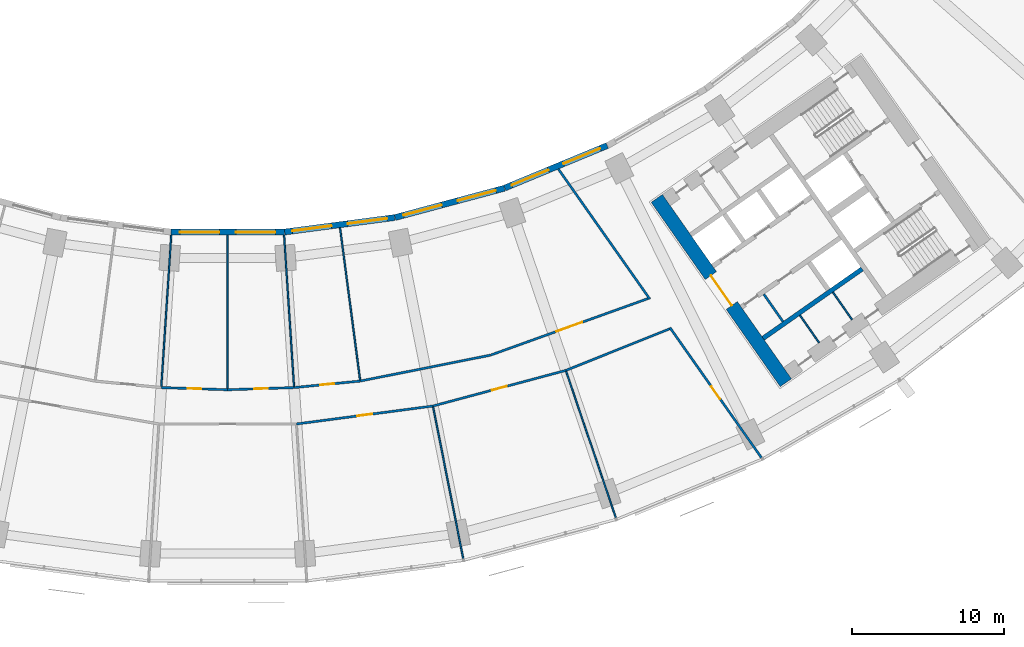
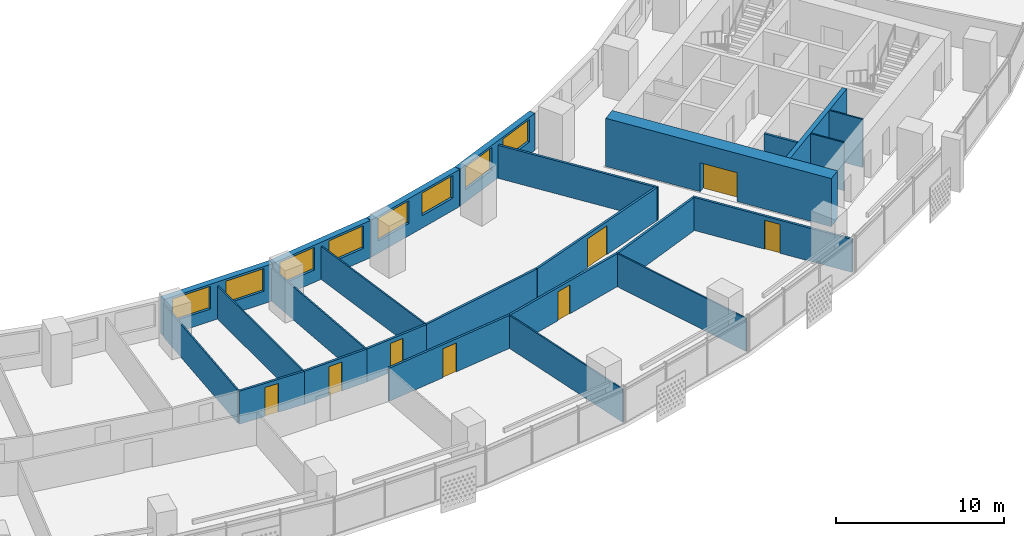
# One storey, part 6 of 31: 25 walls, 8 doors, 8 windows, 16 openings.
"""IFC4 building model written with IfcOpenShell, lengths in metres."""

from ifc_helpers import new_model, si_unit, direction, frame, frame_2d, origin, place, context, subcontext, project, spatial, rectangle, extrude, material, layer, layer_set, type_object, element, fill, save


model = new_model("IFC4")

# Units and contexts
model_context = context("Model", 3, precision=1e-05, world=origin(), true_north=direction((0.0, 1.0)))
body_context = subcontext(model_context, "Body", "Model", "MODEL_VIEW")
ifc_project = project(units=[si_unit("LENGTHUNIT", "METRE"), si_unit("AREAUNIT", "SQUARE_METRE"), si_unit("VOLUMEUNIT", "CUBIC_METRE"), si_unit("PLANEANGLEUNIT", "RADIAN"), si_unit("MASSUNIT", "GRAM", prefix="KILO")], contexts=[model_context])

# Site, building, storey
site_placement = place(None, origin())
site = spatial("IfcSite", under=ifc_project, at=site_placement, CompositionType="ELEMENT")
building_placement = place(site_placement, origin())
building = spatial("IfcBuilding", under=site, at=building_placement, Name="Qamariyya Broadcast Tower", CompositionType="ELEMENT")
storey_placement = place(building_placement, frame((0.0, 0.0, 59.5)))
storey = spatial("IfcBuildingStorey", under=building, at=storey_placement, Name="L11", CompositionType="ELEMENT", Elevation=59.5)

# Wall, opening, door
ifc_material_1 = material(Name="Concrete C70/85", Category="concrete")
ifc_layer_1 = layer(ifc_material_1, 0.89990234375)
ifc_layer_set_1 = layer_set([ifc_layer_1], Name="Core wall 900 mm Concrete C70/85")
wall_type_1 = type_object("IfcWallType", Name="Core wall 900 mm Concrete C70/85", PredefinedType="SHEAR", material=ifc_layer_set_1)
wall_1_placement = place(storey_placement, frame((36.716796875, -66.3369140625, 0.0), z_axis=(0.0, 0.0, 1.0), x_axis=(-0.573577477574, 0.819151315216, 0.0)))
wall_1 = element("IfcWall", 1, at=wall_1_placement, inside=storey, type_object=wall_type_1, Name="k-E-L11-WA", PredefinedType="SHEAR", context=body_context, shape_type="SweptSolid", body=[
    extrude(rectangle(XDim=14.800048828125, YDim=0.89990234375, at=frame_2d((7.39990234375, 0.0))), origin(), (0.0, 0.0, 1.0), 3.5),
])
opening_1_placement = place(wall_1_placement, frame((6.199951171875, 0.0, 0.0)))
opening_1 = element("IfcOpeningElement", 2, at=opening_1_placement, cuts=wall_1, Name="Opening KD3-E1", PredefinedType="OPENING", context=body_context, shape_type="SweptSolid", body=[
    extrude(rectangle(XDim=2.39990234375, YDim=2.10009765625, at=frame_2d((1.199951171875, 1.050048828125))), frame((0.0, 0.4599609375, 0.0), z_axis=(0.0, -1.0, 0.0), x_axis=(1.0, 0.0, 0.0)), (0.0, 0.0, 1.0), 0.919921875),
])
ifc_material_2 = material(Name="Steel fire-resisting door leaf", Category="steel")
door_type_1 = type_object("IfcDoorType", Name="Lift lobby door KD3", OperationType="DOUBLE_DOOR_SINGLE_SWING", PredefinedType="DOOR", material=ifc_material_2)
door_1_placement = place(opening_1_placement, origin())
door_1 = element("IfcDoor", 3, at=door_1_placement, inside=storey, type_object=door_type_1, Name="k-E-L11-WA-D1", OperationType="DOUBLE_DOOR_SINGLE_SWING", OverallHeight=2.10009765625, OverallWidth=2.39990234375, PredefinedType="DOOR", context=body_context, shape_type="SweptSolid", body=[
    extrude(rectangle(XDim=2.39990234375, YDim=2.10009765625, at=frame_2d((1.199951171875, 1.050048828125))), frame((0.0, 0.02490234375, 0.0), z_axis=(0.0, -1.0, 0.0), x_axis=(1.0, 0.0, 0.0)), (0.0, 0.0, 1.0), 0.050048828125),
])
fill(opening_1, door_1)

ifc_material_3 = material(Name="Gypsum board partition")
ifc_layer_2 = layer(ifc_material_3, 0.14990234375)
ifc_layer_set_2 = layer_set([ifc_layer_2], Name="Corridor partition 150 EI 60")
wall_type_2 = type_object("IfcWallType", Name="Corridor partition 150 EI 60", PredefinedType="PARTITIONING", material=ifc_layer_set_2)
wall_2_placement = place(storey_placement, frame((-4.368896484375, -66.656982421875, 0.0), z_axis=(0.0, 0.0, 1.0), x_axis=(0.99946426167, -0.03272903366, 0.0)))
wall_2 = element("IfcWall", 4, at=wall_2_placement, inside=storey, type_object=wall_type_2, Name="Partition L11-018", PredefinedType="PARTITIONING", context=body_context, shape_type="SweptSolid", body=[
    extrude(rectangle(XDim=4.371337890625, YDim=0.14990234375, at=frame_2d((2.185546875, 0.0))), origin(), (0.0, 0.0, 1.0), 2.39990234375),
])
opening_2_placement = place(wall_2_placement, frame((1.735595703125, 0.0, 0.0)))
opening_2 = element("IfcOpeningElement", 5, at=opening_2_placement, cuts=wall_2, Name="Opening L11-D12", PredefinedType="OPENING", context=body_context, shape_type="SweptSolid", body=[
    extrude(rectangle(XDim=0.89990234375, YDim=2.10009765625, at=frame_2d((0.449951171875, 1.050048828125))), frame((0.0, 0.0849609375, 0.0), z_axis=(0.0, -1.0, 0.0), x_axis=(1.0, 0.0, 0.0)), (0.0, 0.0, 1.0), 0.169921875),
])
ifc_material_4 = material(Name="Timber fire door leaf", Category="wood")
door_type_2 = type_object("IfcDoorType", Name="Fire door 900 x 2100 FD60", OperationType="NOTDEFINED", PredefinedType="DOOR", material=ifc_material_4)
door_2_placement = place(opening_2_placement, origin())
door_2 = element("IfcDoor", 6, at=door_2_placement, inside=storey, type_object=door_type_2, Name="Door L11-D12", OperationType="SINGLE_SWING_RIGHT", OverallHeight=2.10009765625, OverallWidth=0.89990234375, PredefinedType="DOOR", context=body_context, shape_type="SweptSolid", body=[
    extrude(rectangle(XDim=0.89990234375, YDim=2.10009765625, at=frame_2d((0.449951171875, 1.050048828125))), frame((0.0, 0.02490234375, 0.0), z_axis=(0.0, -1.0, 0.0), x_axis=(1.0, 0.0, 0.0)), (0.0, 0.0, 1.0), 0.050048828125),
])
fill(opening_2, door_2)

wall_3_placement = place(storey_placement, frame((0.0, -66.800048828125, 0.0), z_axis=(0.0, 0.0, 1.0), x_axis=(0.99946426167, 0.03272903366, 0.0)))
wall_3 = element("IfcWall", 7, at=wall_3_placement, inside=storey, type_object=wall_type_2, Name="Partition L11-020", PredefinedType="PARTITIONING", context=body_context, shape_type="SweptSolid", body=[
    extrude(rectangle(XDim=4.371337890625, YDim=0.14990234375, at=frame_2d((2.185546875, 0.0))), origin(), (0.0, 0.0, 1.0), 2.39990234375),
])
opening_3_placement = place(wall_3_placement, frame((1.735595703125, 0.0, 0.0)))
opening_3 = element("IfcOpeningElement", 8, at=opening_3_placement, cuts=wall_3, Name="Opening L11-D13", PredefinedType="OPENING", context=body_context, shape_type="SweptSolid", body=[
    extrude(rectangle(XDim=0.89990234375, YDim=2.10009765625, at=frame_2d((0.449951171875, 1.050048828125))), frame((0.0, 0.0849609375, 0.0), z_axis=(0.0, -1.0, 0.0), x_axis=(1.0, 0.0, 0.0)), (0.0, 0.0, 1.0), 0.169921875),
])
door_3_placement = place(opening_3_placement, origin())
door_3 = element("IfcDoor", 9, at=door_3_placement, inside=storey, type_object=door_type_2, Name="Door L11-D13", OperationType="SINGLE_SWING_RIGHT", OverallHeight=2.10009765625, OverallWidth=0.89990234375, PredefinedType="DOOR", context=body_context, shape_type="SweptSolid", body=[
    extrude(rectangle(XDim=0.89990234375, YDim=2.10009765625, at=frame_2d((0.449951171875, 1.050048828125))), frame((0.0, 0.02490234375, 0.0), z_axis=(0.0, -1.0, 0.0), x_axis=(1.0, 0.0, 0.0)), (0.0, 0.0, 1.0), 0.050048828125),
])
fill(opening_3, door_3)

wall_4_placement = place(storey_placement, frame((4.368896484375, -66.656982421875, 0.0), z_axis=(0.0, 0.0, 1.0), x_axis=(0.995184826457, 0.098016127192, 0.0)))
wall_4 = element("IfcWall", 10, at=wall_4_placement, inside=storey, type_object=wall_type_2, Name="Partition L11-023", PredefinedType="PARTITIONING", context=body_context, shape_type="SweptSolid", body=[
    extrude(rectangle(XDim=4.371337890625, YDim=0.14990234375, at=frame_2d((2.185546875, 0.0))), origin(), (0.0, 0.0, 1.0), 2.39990234375),
])
opening_4_placement = place(wall_4_placement, frame((1.735595703125, 0.0, 0.0)))
opening_4 = element("IfcOpeningElement", 11, at=opening_4_placement, cuts=wall_4, Name="Opening L11-D14", PredefinedType="OPENING", context=body_context, shape_type="SweptSolid", body=[
    extrude(rectangle(XDim=0.89990234375, YDim=2.10009765625, at=frame_2d((0.449951171875, 1.050048828125))), frame((0.0, 0.0849609375, 0.0), z_axis=(0.0, -1.0, 0.0), x_axis=(1.0, 0.0, 0.0)), (0.0, 0.0, 1.0), 0.169921875),
])
door_4_placement = place(opening_4_placement, origin())
door_4 = element("IfcDoor", 12, at=door_4_placement, inside=storey, type_object=door_type_2, Name="Door L11-D14", OperationType="SINGLE_SWING_RIGHT", OverallHeight=2.10009765625, OverallWidth=0.89990234375, PredefinedType="DOOR", context=body_context, shape_type="SweptSolid", body=[
    extrude(rectangle(XDim=0.89990234375, YDim=2.10009765625, at=frame_2d((0.449951171875, 1.050048828125))), frame((0.0, 0.02490234375, 0.0), z_axis=(0.0, -1.0, 0.0), x_axis=(1.0, 0.0, 0.0)), (0.0, 0.0, 1.0), 0.050048828125),
])
fill(opening_4, door_4)

wall_5_placement = place(storey_placement, frame((13.500244140625, -67.870361328125, 0.0), z_axis=(0.0, 0.0, 1.0), x_axis=(-0.991446306881, -0.13051521203, 0.0)))
wall_5 = element("IfcWall", 13, at=wall_5_placement, inside=storey, type_object=wall_type_2, Name="Partition L11-024", PredefinedType="PARTITIONING", context=body_context, shape_type="SweptSolid", body=[
    extrude(rectangle(XDim=9.0517578125, YDim=0.14990234375, at=frame_2d((4.52587890625, 0.0))), origin(), (0.0, 0.0, 1.0), 2.39990234375),
])
opening_5_placement = place(wall_5_placement, frame((4.02587890625, 0.0, 0.0)))
opening_5 = element("IfcOpeningElement", 14, at=opening_5_placement, cuts=wall_5, Name="Opening L11-D05", PredefinedType="OPENING", context=body_context, shape_type="SweptSolid", body=[
    extrude(rectangle(XDim=1.0, YDim=2.10009765625, at=frame_2d((0.5, 1.050048828125))), frame((0.0, 0.0849609375, 0.0), z_axis=(0.0, -1.0, 0.0), x_axis=(1.0, 0.0, 0.0)), (0.0, 0.0, 1.0), 0.169921875),
])
door_type_3 = type_object("IfcDoorType", Name="Fire door 1000 x 2100 FD60", OperationType="NOTDEFINED", PredefinedType="DOOR", material=ifc_material_4)
door_5_placement = place(opening_5_placement, origin())
door_5 = element("IfcDoor", 15, at=door_5_placement, inside=storey, type_object=door_type_3, Name="Door L11-D05", OperationType="SINGLE_SWING_RIGHT", OverallHeight=2.10009765625, OverallWidth=1.0, PredefinedType="DOOR", context=body_context, shape_type="SweptSolid", body=[
    extrude(rectangle(XDim=1.0, YDim=2.10009765625, at=frame_2d((0.5, 1.050048828125))), frame((0.0, 0.02490234375, 0.0), z_axis=(0.0, -1.0, 0.0), x_axis=(1.0, 0.0, 0.0)), (0.0, 0.0, 1.0), 0.050048828125),
])
fill(opening_5, door_5)

# Wall
wall_6_placement = place(storey_placement, frame((8.71923828125, -66.228515625, 0.0), z_axis=(0.0, 0.0, 1.0), x_axis=(0.980787736115, 0.195077975915, 0.0)))
element("IfcWall", 16, at=wall_6_placement, inside=storey, type_object=wall_type_2, Name="Partition L11-027", PredefinedType="PARTITIONING", context=body_context, shape_type="SweptSolid", body=[
    extrude(rectangle(XDim=8.729248046875, YDim=0.14990234375, at=frame_2d((4.36474609375, 0.0))), origin(), (0.0, 0.0, 1.0), 2.39990234375),
])

# Wall, opening, door
wall_7_placement = place(storey_placement, frame((22.24365234375, -65.527587890625, 0.0), z_axis=(0.0, 0.0, 1.0), x_axis=(-0.965926260719, -0.258817423781, 0.0)))
wall_7 = element("IfcWall", 17, at=wall_7_placement, inside=storey, type_object=wall_type_2, Name="Partition L11-028", PredefinedType="PARTITIONING", context=body_context, shape_type="SweptSolid", body=[
    extrude(rectangle(XDim=9.0517578125, YDim=0.14990234375, at=frame_2d((4.52587890625, 0.0))), origin(), (0.0, 0.0, 1.0), 2.39990234375),
])
opening_6_placement = place(wall_7_placement, frame((4.02587890625, 0.0, 0.0)))
opening_6 = element("IfcOpeningElement", 18, at=opening_6_placement, cuts=wall_7, Name="Opening L11-D06", PredefinedType="OPENING", context=body_context, shape_type="SweptSolid", body=[
    extrude(rectangle(XDim=1.0, YDim=2.10009765625, at=frame_2d((0.5, 1.050048828125))), frame((0.0, 0.0849609375, 0.0), z_axis=(0.0, -1.0, 0.0), x_axis=(1.0, 0.0, 0.0)), (0.0, 0.0, 1.0), 0.169921875),
])
door_6_placement = place(opening_6_placement, origin())
door_6 = element("IfcDoor", 19, at=door_6_placement, inside=storey, type_object=door_type_3, Name="Door L11-D06", OperationType="SINGLE_SWING_RIGHT", OverallHeight=2.10009765625, OverallWidth=1.0, PredefinedType="DOOR", context=body_context, shape_type="SweptSolid", body=[
    extrude(rectangle(XDim=1.0, YDim=2.10009765625, at=frame_2d((0.5, 1.050048828125))), frame((0.0, 0.02490234375, 0.0), z_axis=(0.0, -1.0, 0.0), x_axis=(1.0, 0.0, 0.0)), (0.0, 0.0, 1.0), 0.050048828125),
])
fill(opening_6, door_6)

wall_8_placement = place(storey_placement, frame((17.297119140625, -64.52099609375, 0.0), z_axis=(0.0, 0.0, 1.0), x_axis=(0.941107470704, 0.338107569546, 0.0)))
wall_8 = element("IfcWall", 20, at=wall_8_placement, inside=storey, type_object=wall_type_2, Name="Partition L11-030", PredefinedType="PARTITIONING", context=body_context, shape_type="SweptSolid", body=[
    extrude(rectangle(XDim=11.00732421875, YDim=0.14990234375, at=frame_2d((5.503662109375, 0.0))), origin(), (0.0, 0.0, 1.0), 2.39990234375),
])
opening_7_placement = place(wall_8_placement, frame((4.603759765625, 0.0, 0.0)))
opening_7 = element("IfcOpeningElement", 21, at=opening_7_placement, cuts=wall_8, Name="Opening L11-D15", PredefinedType="OPENING", context=body_context, shape_type="SweptSolid", body=[
    extrude(rectangle(XDim=1.800048828125, YDim=2.10009765625, at=frame_2d((0.89990234375, 1.050048828125))), frame((0.0, 0.0849609375, 0.0), z_axis=(0.0, -1.0, 0.0), x_axis=(1.0, 0.0, 0.0)), (0.0, 0.0, 1.0), 0.169921875),
])
door_type_4 = type_object("IfcDoorType", Name="Double fire door 1800 x 2100 FD60", OperationType="NOTDEFINED", PredefinedType="DOOR", material=ifc_material_4)
door_7_placement = place(opening_7_placement, origin())
door_7 = element("IfcDoor", 22, at=door_7_placement, inside=storey, type_object=door_type_4, Name="Door L11-D15", OperationType="DOUBLE_DOOR_SINGLE_SWING", OverallHeight=2.10009765625, OverallWidth=1.800048828125, PredefinedType="DOOR", context=body_context, shape_type="SweptSolid", body=[
    extrude(rectangle(XDim=1.800048828125, YDim=2.10009765625, at=frame_2d((0.89990234375, 1.050048828125))), frame((0.0, 0.02490234375, 0.0), z_axis=(0.0, -1.0, 0.0), x_axis=(1.0, 0.0, 0.0)), (0.0, 0.0, 1.0), 0.050048828125),
])
fill(opening_7, door_7)

# Walls
wall_9_placement = place(storey_placement, frame((21.748291015625, -52.2763671875, 0.0), z_axis=(0.0, 0.0, 1.0), x_axis=(0.575419434668, -0.817858468322, 0.0)))
element("IfcWall", 23, at=wall_9_placement, inside=storey, type_object=wall_type_2, Name="Partition L11-031", PredefinedType="PARTITIONING", context=body_context, shape_type="SweptSolid", body=[
    extrude(rectangle(XDim=10.46484375, YDim=0.14990234375, at=frame_2d((5.232421875, 0.0))), origin(), (0.0, 0.0, 1.0), 2.39990234375),
])
wall_10_placement = place(storey_placement, frame((22.24365234375, -65.527587890625, 0.0), z_axis=(0.0, 0.0, 1.0), x_axis=(0.928339065762, 0.371734554462, 0.0)))
element("IfcWall", 24, at=wall_10_placement, inside=storey, type_object=wall_type_2, Name="Partition L11-032", PredefinedType="PARTITIONING", context=body_context, shape_type="SweptSolid", body=[
    extrude(rectangle(XDim=7.343994140625, YDim=0.14990234375, at=frame_2d((3.671875, 0.0))), origin(), (0.0, 0.0, 1.0), 2.39990234375),
])

# Wall, opening, door
wall_11_placement = place(storey_placement, frame((35.11328125, -71.2724609375, 0.0), z_axis=(0.0, 0.0, 1.0), x_axis=(-0.575411972256, 0.817863718589, 0.0)))
wall_11 = element("IfcWall", 25, at=wall_11_placement, inside=storey, type_object=wall_type_2, Name="Partition L11-034", PredefinedType="PARTITIONING", context=body_context, shape_type="SweptSolid", body=[
    extrude(rectangle(XDim=10.471435546875, YDim=0.14990234375, at=frame_2d((5.23583984375, 0.0))), origin(), (0.0, 0.0, 1.0), 2.39990234375),
])
opening_8_placement = place(wall_11_placement, frame((4.735595703125, 0.0, 0.0)))
opening_8 = element("IfcOpeningElement", 26, at=opening_8_placement, cuts=wall_11, Name="Opening L11-D07", PredefinedType="OPENING", context=body_context, shape_type="SweptSolid", body=[
    extrude(rectangle(XDim=1.0, YDim=2.10009765625, at=frame_2d((0.5, 1.050048828125))), frame((0.0, 0.0849609375, 0.0), z_axis=(0.0, -1.0, 0.0), x_axis=(1.0, 0.0, 0.0)), (0.0, 0.0, 1.0), 0.169921875),
])
door_8_placement = place(opening_8_placement, origin())
door_8 = element("IfcDoor", 27, at=door_8_placement, inside=storey, type_object=door_type_3, Name="Door L11-D07", OperationType="SINGLE_SWING_RIGHT", OverallHeight=2.10009765625, OverallWidth=1.0, PredefinedType="DOOR", context=body_context, shape_type="SweptSolid", body=[
    extrude(rectangle(XDim=1.0, YDim=2.10009765625, at=frame_2d((0.5, 1.050048828125))), frame((0.0, 0.02490234375, 0.0), z_axis=(0.0, -1.0, 0.0), x_axis=(1.0, 0.0, 0.0)), (0.0, 0.0, 1.0), 0.050048828125),
])
fill(opening_8, door_8)

# Walls
ifc_material_5 = material(Name="Gypsum board partition on steel studs", Category="steel")
ifc_layer_3 = layer(ifc_material_5, 0.14990234375)
ifc_layer_set_3 = layer_set([ifc_layer_3], Name="Gypsum board partition 150 mm")
wall_type_3 = type_object("IfcWallType", Name="Gypsum board partition 150 mm", PredefinedType="PARTITIONING", material=ifc_layer_set_3)
wall_12_placement = place(storey_placement, frame((35.26611328125, -60.5166015625, 0.0), z_axis=(0.0, 0.0, 1.0), x_axis=(0.573559170999, -0.819164133348, 0.0)))
element("IfcWall", 28, at=wall_12_placement, inside=storey, type_object=wall_type_3, Name="k-E-L11-SC170", PredefinedType="PARTITIONING", context=body_context, shape_type="SweptSolid", body=[
    extrude(rectangle(XDim=2.19970703125, YDim=0.14990234375, at=frame_2d((1.099853515625, 0.0))), origin(), (0.0, 0.0, 1.0), 3.5),
])
ifc_material_6 = material(Name="Concrete C60/75", Category="concrete")
ifc_layer_4 = layer(ifc_material_6, 0.300048828125)
ifc_layer_set_4 = layer_set([ifc_layer_4], Name="Lift shaft wall 300 mm Concrete C60/75")
wall_type_4 = type_object("IfcWallType", Name="Lift shaft wall 300 mm Concrete C60/75", PredefinedType="SOLIDWALL", material=ifc_layer_set_4)
wall_13_placement = place(storey_placement, frame((35.22119140625, -63.41650390625, 0.0), z_axis=(0.0, 0.0, 1.0), x_axis=(0.819166993208, 0.573555086491, 0.0)))
element("IfcWall", 29, at=wall_13_placement, inside=storey, type_object=wall_type_4, Name="k-E-L11-SB0", PredefinedType="SOLIDWALL", context=body_context, shape_type="SweptSolid", body=[
    extrude(rectangle(XDim=7.9501953125, YDim=0.300048828125, at=frame_2d((3.97509765625, 0.0))), origin(), (0.0, 0.0, 1.0), 3.5),
])
ifc_layer_5 = layer(ifc_material_3, 0.10009765625)
ifc_layer_set_5 = layer_set([ifc_layer_5], Name="Partition 100")
wall_type_5 = type_object("IfcWallType", Name="Partition 100", PredefinedType="PARTITIONING", material=ifc_layer_set_5)
wall_14_placement = place(storey_placement, frame((-3.711669921875, -56.62841796875, 0.0), z_axis=(0.0, 0.0, 1.0), x_axis=(-0.06539808502, -0.997859253841, 0.0)))
element("IfcWall", 30, at=wall_14_placement, inside=storey, type_object=wall_type_5, Name="Partition L11-019", PredefinedType="PARTITIONING", context=body_context, shape_type="SweptSolid", body=[
    extrude(rectangle(XDim=9.974853515625, YDim=0.10009765625, at=frame_2d((4.9873046875, 0.0))), origin(), (0.0, 0.0, 1.0), 2.39990234375),
])
wall_15_placement = place(storey_placement, frame((0.0, -56.62939453125, 0.0), z_axis=(0.0, 0.0, 1.0), x_axis=(0.0, -1.0, 0.0)))
element("IfcWall", 31, at=wall_15_placement, inside=storey, type_object=wall_type_5, Name="Partition L11-021", PredefinedType="PARTITIONING", context=body_context, shape_type="SweptSolid", body=[
    extrude(rectangle(XDim=10.095703125, YDim=0.10009765625, at=frame_2d((5.0478515625, 0.0))), origin(), (0.0, 0.0, 1.0), 2.39990234375),
])
wall_16_placement = place(storey_placement, frame((3.711669921875, -56.62841796875, 0.0), z_axis=(0.0, 0.0, 1.0), x_axis=(0.06539808502, -0.997859253841, 0.0)))
element("IfcWall", 32, at=wall_16_placement, inside=storey, type_object=wall_type_5, Name="Partition L11-022", PredefinedType="PARTITIONING", context=body_context, shape_type="SweptSolid", body=[
    extrude(rectangle(XDim=9.974853515625, YDim=0.10009765625, at=frame_2d((4.9873046875, 0.0))), origin(), (0.0, 0.0, 1.0), 2.39990234375),
])
wall_17_placement = place(storey_placement, frame((7.3916015625, -56.144775390625, 0.0), z_axis=(0.0, 0.0, 1.0), x_axis=(0.130538336764, -0.991443262439, 0.0)))
element("IfcWall", 33, at=wall_17_placement, inside=storey, type_object=wall_type_5, Name="Partition L11-026", PredefinedType="PARTITIONING", context=body_context, shape_type="SweptSolid", body=[
    extrude(rectangle(XDim=10.095703125, YDim=0.10009765625, at=frame_2d((5.0478515625, 0.0))), origin(), (0.0, 0.0, 1.0), 2.39990234375),
])
for number, where, z_axis, x_axis, name in (
    (34, (15.5, -77.92333984375, 0.0), (0.0, 0.0, 1.0), (-0.195096278525, 0.980784095561, 0.0), "Partition L11-029"),
    (35, (25.538330078125, -75.233642578125, 0.0), (0.0, 0.0, 1.0), (-0.32142736677, 0.946934236308, 0.0), "Partition L11-033"),
):
    element("IfcWall", number, at=place(storey_placement, frame(where, z_axis=z_axis, x_axis=x_axis)), inside=storey, type_object=wall_type_5, Name=name, PredefinedType="PARTITIONING", context=body_context, shape_type="SweptSolid", body=[
        extrude(rectangle(XDim=10.175048828125, YDim=0.10009765625, at=frame_2d((5.08740234375, 0.0))), origin(), (0.0, 0.0, 1.0), 2.39990234375),
    ])
ifc_material_7 = material(Name="Fire-rated gypsum shaft liner on steel studs", Category="steel")
ifc_layer_6 = layer(ifc_material_7, 0.10009765625)
ifc_layer_set_6 = layer_set([ifc_layer_6], Name="Riser wall 100 mm")
wall_type_6 = type_object("IfcWallType", Name="Riser wall 100 mm", PredefinedType="PLUMBINGWALL", material=ifc_layer_set_6)
wall_18_placement = place(storey_placement, frame((37.64208984375, -61.90478515625, 0.0), z_axis=(0.0, 0.0, 1.0), x_axis=(0.573507030513, -0.819200638399, 0.0)))
element("IfcWall", 36, at=wall_18_placement, inside=storey, type_object=wall_type_6, Name="k-E-L11-SP285", PredefinedType="PLUMBINGWALL", context=body_context, shape_type="SweptSolid", body=[
    extrude(rectangle(XDim=2.199951171875, YDim=0.10009765625, at=frame_2d((1.10009765625, 0.0))), origin(), (0.0, 0.0, 1.0), 3.5),
])
wall_19_placement = place(storey_placement, frame((39.812744140625, -60.384765625, 0.0), z_axis=(0.0, 0.0, 1.0), x_axis=(0.573581496053, -0.819148501424, 0.0)))
element("IfcWall", 37, at=wall_19_placement, inside=storey, type_object=wall_type_6, Name="k-E-L11-SP550", PredefinedType="PLUMBINGWALL", context=body_context, shape_type="SweptSolid", body=[
    extrude(rectangle(XDim=2.2001953125, YDim=0.10009765625, at=frame_2d((1.10009765625, 0.0))), origin(), (0.0, 0.0, 1.0), 3.5),
])

# Wall, openings, windows
ifc_material_8 = material(Name="Terracotta", Category="masonry")
ifc_layer_7 = layer(ifc_material_8, 0.39990234375)
ifc_layer_set_7 = layer_set([ifc_layer_7], Name="Terracotta clad wall 400")
wall_type_7 = type_object("IfcWallType", Name="Terracotta clad wall 400", PredefinedType="SOLIDWALL", material=ifc_layer_set_7)
wall_20_placement = place(storey_placement, frame((18.20166015625, -53.542724609375, 0.0), z_axis=(0.0, 0.0, 1.0), x_axis=(-0.965924637935, -0.25882348006, 0.0)))
wall_20 = element("IfcWall", 38, at=wall_20_placement, inside=storey, type_object=wall_type_7, Name="e-wl-L11-in100", PredefinedType="SOLIDWALL", context=body_context, shape_type="SweptSolid", body=[
    extrude(rectangle(XDim=7.447021484375, YDim=0.39990234375, at=frame_2d((3.7236328125, 0.0))), origin(), (0.0, 0.0, 1.0), 2.699951171875),
])
opening_9_placement = place(wall_20_placement, frame((4.266357421875, 0.0, 0.89990234375)))
opening_9 = element("IfcOpeningElement", 39, at=opening_9_placement, cuts=wall_20, Name="Opening W1", PredefinedType="OPENING", context=body_context, shape_type="SweptSolid", body=[
    extrude(rectangle(XDim=2.60009765625, YDim=1.64990234375, at=frame_2d((1.300048828125, 0.824951171875))), frame((0.0, 0.2099609375, 0.0), z_axis=(0.0, -1.0, 0.0), x_axis=(1.0, 0.0, 0.0)), (0.0, 0.0, 1.0), 0.419921875),
])
opening_10_placement = place(wall_20_placement, frame((0.580810546875, 0.0, 0.89990234375)))
opening_10 = element("IfcOpeningElement", 40, at=opening_10_placement, cuts=wall_20, Name="Opening W1", PredefinedType="OPENING", context=body_context, shape_type="SweptSolid", body=[
    extrude(rectangle(XDim=2.60009765625, YDim=1.64990234375, at=frame_2d((1.300048828125, 0.824951171875))), frame((0.0, 0.2099609375, 0.0), z_axis=(0.0, -1.0, 0.0), x_axis=(1.0, 0.0, 0.0)), (0.0, 0.0, 1.0), 0.419921875),
])
ifc_material_9 = material(Name="Clear low-e double glazed unit in aluminium frame", Category="aluminium")
window_type = type_object("IfcWindowType", Name="Ribbon window 2600 x 1650", PartitioningType="SINGLE_PANEL", PredefinedType="WINDOW", material=ifc_material_9)
window_1_placement = place(opening_9_placement, origin())
window_1 = element("IfcWindow", 41, at=window_1_placement, inside=storey, type_object=window_type, Name="e-w-L11-in10-0", OverallHeight=1.64990234375, OverallWidth=2.60009765625, PartitioningType="SINGLE_PANEL", PredefinedType="WINDOW", context=body_context, shape_type="SweptSolid", body=[
    extrude(rectangle(XDim=2.60009765625, YDim=1.64990234375, at=frame_2d((1.300048828125, 0.824951171875))), frame((0.0, 0.030029296875, 0.0), z_axis=(0.0, -1.0, 0.0), x_axis=(1.0, 0.0, 0.0)), (0.0, 0.0, 1.0), 0.06005859375),
])
fill(opening_9, window_1)
window_2_placement = place(opening_10_placement, origin())
window_2 = element("IfcWindow", 42, at=window_2_placement, inside=storey, type_object=window_type, Name="e-w-L11-in10-1", OverallHeight=1.64990234375, OverallWidth=2.60009765625, PartitioningType="SINGLE_PANEL", PredefinedType="WINDOW", context=body_context, shape_type="SweptSolid", body=[
    extrude(rectangle(XDim=2.60009765625, YDim=1.64990234375, at=frame_2d((1.300048828125, 0.824951171875))), frame((0.0, 0.030029296875, 0.0), z_axis=(0.0, -1.0, 0.0), x_axis=(1.0, 0.0, 0.0)), (0.0, 0.0, 1.0), 0.06005859375),
])
fill(opening_10, window_2)

wall_21_placement = place(storey_placement, frame((24.96484375, -50.738037109375, 0.0), z_axis=(0.0, 0.0, 1.0), x_axis=(-0.923891626322, -0.382654234018, 0.0)))
wall_21 = element("IfcWall", 43, at=wall_21_placement, inside=storey, type_object=wall_type_7, Name="e-wl-L11-in110", PredefinedType="SOLIDWALL", context=body_context, shape_type="SweptSolid", body=[
    extrude(rectangle(XDim=7.295654296875, YDim=0.39990234375, at=frame_2d((3.64794921875, 0.0))), origin(), (0.0, 0.0, 1.0), 2.699951171875),
])
opening_11_placement = place(wall_21_placement, frame((4.190673828125, 0.0, 0.89990234375)))
opening_11 = element("IfcOpeningElement", 44, at=opening_11_placement, cuts=wall_21, Name="Opening W1", PredefinedType="OPENING", context=body_context, shape_type="SweptSolid", body=[
    extrude(rectangle(XDim=2.60009765625, YDim=1.64990234375, at=frame_2d((1.300048828125, 0.824951171875))), frame((0.0, 0.2099609375, 0.0), z_axis=(0.0, -1.0, 0.0), x_axis=(1.0, 0.0, 0.0)), (0.0, 0.0, 1.0), 0.419921875),
])
opening_12_placement = place(wall_21_placement, frame((0.505126953125, 0.0, 0.89990234375)))
opening_12 = element("IfcOpeningElement", 45, at=opening_12_placement, cuts=wall_21, Name="Opening W1", PredefinedType="OPENING", context=body_context, shape_type="SweptSolid", body=[
    extrude(rectangle(XDim=2.60009765625, YDim=1.64990234375, at=frame_2d((1.300048828125, 0.824951171875))), frame((0.0, 0.2099609375, 0.0), z_axis=(0.0, -1.0, 0.0), x_axis=(1.0, 0.0, 0.0)), (0.0, 0.0, 1.0), 0.419921875),
])
window_3_placement = place(opening_11_placement, origin())
window_3 = element("IfcWindow", 46, at=window_3_placement, inside=storey, type_object=window_type, Name="e-w-L11-in11-0", OverallHeight=1.64990234375, OverallWidth=2.60009765625, PartitioningType="SINGLE_PANEL", PredefinedType="WINDOW", context=body_context, shape_type="SweptSolid", body=[
    extrude(rectangle(XDim=2.60009765625, YDim=1.64990234375, at=frame_2d((1.300048828125, 0.824951171875))), frame((0.0, 0.030029296875, 0.0), z_axis=(0.0, -1.0, 0.0), x_axis=(1.0, 0.0, 0.0)), (0.0, 0.0, 1.0), 0.06005859375),
])
fill(opening_11, window_3)
window_4_placement = place(opening_12_placement, origin())
window_4 = element("IfcWindow", 47, at=window_4_placement, inside=storey, type_object=window_type, Name="e-w-L11-in11-1", OverallHeight=1.64990234375, OverallWidth=2.60009765625, PartitioningType="SINGLE_PANEL", PredefinedType="WINDOW", context=body_context, shape_type="SweptSolid", body=[
    extrude(rectangle(XDim=2.60009765625, YDim=1.64990234375, at=frame_2d((1.300048828125, 0.824951171875))), frame((0.0, 0.030029296875, 0.0), z_axis=(0.0, -1.0, 0.0), x_axis=(1.0, 0.0, 0.0)), (0.0, 0.0, 1.0), 0.06005859375),
])
fill(opening_12, window_4)

wall_22_placement = place(storey_placement, frame((3.7236328125, -56.429443359375, 0.0), z_axis=(0.0, 0.0, 1.0), x_axis=(-1.0, 0.0, 0.0)))
wall_22 = element("IfcWall", 48, at=wall_22_placement, inside=storey, type_object=wall_type_7, Name="e-wl-L11-in80", PredefinedType="SOLIDWALL", context=body_context, shape_type="SweptSolid", body=[
    extrude(rectangle(XDim=7.447265625, YDim=0.39990234375, at=frame_2d((3.7236328125, 0.0))), origin(), (0.0, 0.0, 1.0), 2.699951171875),
])
opening_13_placement = place(wall_22_placement, frame((4.266357421875, 0.0, 0.89990234375)))
opening_13 = element("IfcOpeningElement", 49, at=opening_13_placement, cuts=wall_22, Name="Opening W1", PredefinedType="OPENING", context=body_context, shape_type="SweptSolid", body=[
    extrude(rectangle(XDim=2.60009765625, YDim=1.64990234375, at=frame_2d((1.300048828125, 0.824951171875))), frame((0.0, 0.2099609375, 0.0), z_axis=(0.0, -1.0, 0.0), x_axis=(1.0, 0.0, 0.0)), (0.0, 0.0, 1.0), 0.419921875),
])
opening_14_placement = place(wall_22_placement, frame((0.580810546875, 0.0, 0.89990234375)))
opening_14 = element("IfcOpeningElement", 50, at=opening_14_placement, cuts=wall_22, Name="Opening W1", PredefinedType="OPENING", context=body_context, shape_type="SweptSolid", body=[
    extrude(rectangle(XDim=2.60009765625, YDim=1.64990234375, at=frame_2d((1.300048828125, 0.824951171875))), frame((0.0, 0.2099609375, 0.0), z_axis=(0.0, -1.0, 0.0), x_axis=(1.0, 0.0, 0.0)), (0.0, 0.0, 1.0), 0.419921875),
])
window_5_placement = place(opening_13_placement, origin())
window_5 = element("IfcWindow", 51, at=window_5_placement, inside=storey, type_object=window_type, Name="e-w-L11-in08-0", OverallHeight=1.64990234375, OverallWidth=2.60009765625, PartitioningType="SINGLE_PANEL", PredefinedType="WINDOW", context=body_context, shape_type="SweptSolid", body=[
    extrude(rectangle(XDim=2.60009765625, YDim=1.64990234375, at=frame_2d((1.300048828125, 0.824951171875))), frame((0.0, 0.030029296875, 0.0), z_axis=(0.0, -1.0, 0.0), x_axis=(1.0, 0.0, 0.0)), (0.0, 0.0, 1.0), 0.06005859375),
])
fill(opening_13, window_5)
window_6_placement = place(opening_14_placement, origin())
window_6 = element("IfcWindow", 52, at=window_6_placement, inside=storey, type_object=window_type, Name="e-w-L11-in08-1", OverallHeight=1.64990234375, OverallWidth=2.60009765625, PartitioningType="SINGLE_PANEL", PredefinedType="WINDOW", context=body_context, shape_type="SweptSolid", body=[
    extrude(rectangle(XDim=2.60009765625, YDim=1.64990234375, at=frame_2d((1.300048828125, 0.824951171875))), frame((0.0, 0.030029296875, 0.0), z_axis=(0.0, -1.0, 0.0), x_axis=(1.0, 0.0, 0.0)), (0.0, 0.0, 1.0), 0.06005859375),
])
fill(opening_14, window_6)

wall_23_placement = place(storey_placement, frame((10.982177734375, -55.470458984375, 0.0), z_axis=(0.0, 0.0, 1.0), x_axis=(-0.99144746031, -0.130506449818, 0.0)))
wall_23 = element("IfcWall", 53, at=wall_23_placement, inside=storey, type_object=wall_type_7, Name="e-wl-L11-in90", PredefinedType="SOLIDWALL", context=body_context, shape_type="SweptSolid", body=[
    extrude(rectangle(XDim=7.2958984375, YDim=0.39990234375, at=frame_2d((3.64794921875, 0.0))), origin(), (0.0, 0.0, 1.0), 2.699951171875),
])
opening_15_placement = place(wall_23_placement, frame((4.190673828125, 0.0, 0.89990234375)))
opening_15 = element("IfcOpeningElement", 54, at=opening_15_placement, cuts=wall_23, Name="Opening W1", PredefinedType="OPENING", context=body_context, shape_type="SweptSolid", body=[
    extrude(rectangle(XDim=2.60009765625, YDim=1.64990234375, at=frame_2d((1.300048828125, 0.824951171875))), frame((0.0, 0.2099609375, 0.0), z_axis=(0.0, -1.0, 0.0), x_axis=(1.0, 0.0, 0.0)), (0.0, 0.0, 1.0), 0.419921875),
])
opening_16_placement = place(wall_23_placement, frame((0.505126953125, 0.0, 0.89990234375)))
opening_16 = element("IfcOpeningElement", 55, at=opening_16_placement, cuts=wall_23, Name="Opening W1", PredefinedType="OPENING", context=body_context, shape_type="SweptSolid", body=[
    extrude(rectangle(XDim=2.60009765625, YDim=1.64990234375, at=frame_2d((1.300048828125, 0.824951171875))), frame((0.0, 0.2099609375, 0.0), z_axis=(0.0, -1.0, 0.0), x_axis=(1.0, 0.0, 0.0)), (0.0, 0.0, 1.0), 0.419921875),
])
window_7_placement = place(opening_15_placement, origin())
window_7 = element("IfcWindow", 56, at=window_7_placement, inside=storey, type_object=window_type, Name="e-w-L11-in09-0", OverallHeight=1.64990234375, OverallWidth=2.60009765625, PartitioningType="SINGLE_PANEL", PredefinedType="WINDOW", context=body_context, shape_type="SweptSolid", body=[
    extrude(rectangle(XDim=2.60009765625, YDim=1.64990234375, at=frame_2d((1.300048828125, 0.824951171875))), frame((0.0, 0.030029296875, 0.0), z_axis=(0.0, -1.0, 0.0), x_axis=(1.0, 0.0, 0.0)), (0.0, 0.0, 1.0), 0.06005859375),
])
fill(opening_15, window_7)
window_8_placement = place(opening_16_placement, origin())
window_8 = element("IfcWindow", 57, at=window_8_placement, inside=storey, type_object=window_type, Name="e-w-L11-in09-1", OverallHeight=1.64990234375, OverallWidth=2.60009765625, PartitioningType="SINGLE_PANEL", PredefinedType="WINDOW", context=body_context, shape_type="SweptSolid", body=[
    extrude(rectangle(XDim=2.60009765625, YDim=1.64990234375, at=frame_2d((1.300048828125, 0.824951171875))), frame((0.0, 0.030029296875, 0.0), z_axis=(0.0, -1.0, 0.0), x_axis=(1.0, 0.0, 0.0)), (0.0, 0.0, 1.0), 0.06005859375),
])
fill(opening_16, window_8)

save(model, "model.ifc")
